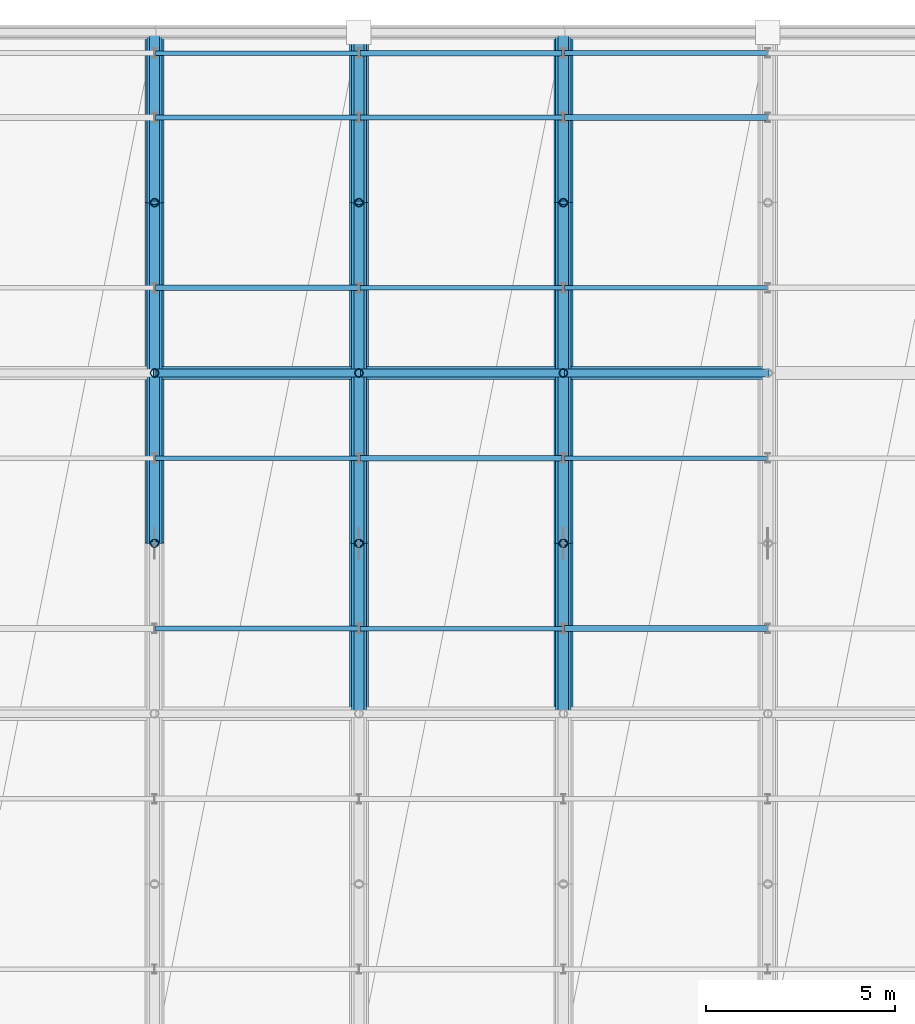
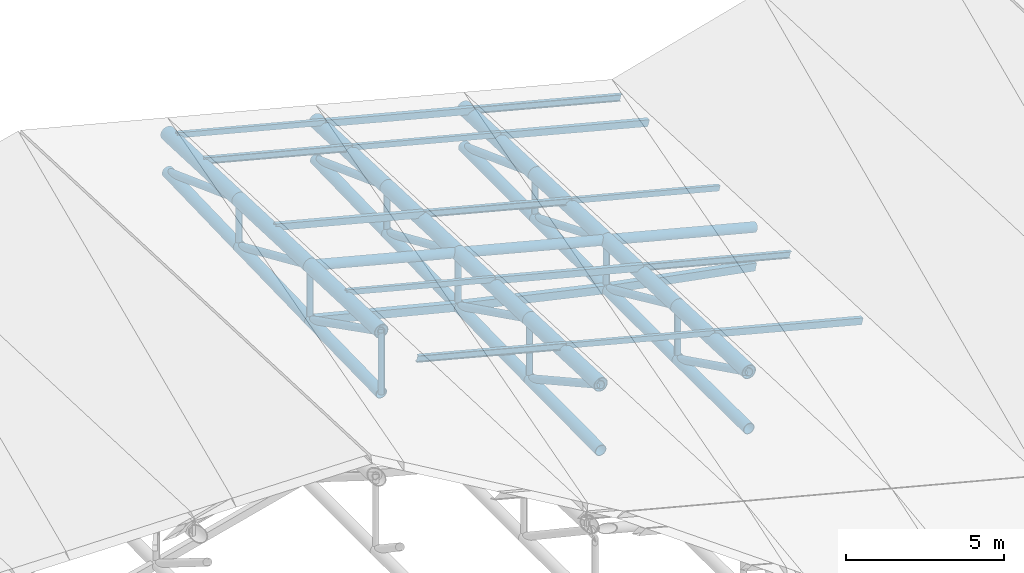
# One storey, part 30 of 109: 41 members, 22 beams.
"""IFC4 building model written with IfcOpenShell, lengths in metres."""

from ifc_helpers import new_model, si_unit, direction, frame, origin, origin_2d, place, context, subcontext, project, spatial, hollow_rectangle, hollow_circle, i_section, extrude, material, material_profile, profile_set, type_object, element, save


model = new_model("IFC4")

# Units and contexts
model_context = context("Model", 3, precision=1e-05, world=origin(), true_north=direction((0.0, 1.0)))
body_context = subcontext(model_context, "Body", "Model", "MODEL_VIEW")
ifc_project = project(units=[si_unit("LENGTHUNIT", "METRE"), si_unit("AREAUNIT", "SQUARE_METRE"), si_unit("VOLUMEUNIT", "CUBIC_METRE"), si_unit("PLANEANGLEUNIT", "RADIAN"), si_unit("MASSUNIT", "GRAM", prefix="KILO")], contexts=[model_context])

# Site, building, storey
site_placement = place(None, origin())
site = spatial("IfcSite", under=ifc_project, at=site_placement, CompositionType="ELEMENT")
building_placement = place(site_placement, origin())
building = spatial("IfcBuilding", under=site, at=building_placement, Name="Suirenkawa Promenade Aquatics Centre", CompositionType="ELEMENT")
storey_placement = place(building_placement, frame((0.0, 0.0, 22.800048828125)))
storey = spatial("IfcBuildingStorey", under=building, at=storey_placement, Name="ROOF", CompositionType="ELEMENT", Elevation=22.800048828125)

# Beams
ifc_material = material(Name="Steel IS 2062 E350 (Grade 350)", Category="steel")
ifc_material_profile_1 = material_profile(ifc_material, hollow_circle(Radius=0.202880859375, WallThickness=0.01806640625, at=origin_2d()), Name="CHS 406x18", Category="steel")
ifc_profile_set_1 = profile_set([ifc_material_profile_1], Name="Steel IS 2062 E350 (Grade 350)")
beam_type_1 = type_object("IfcBeamType", Name="BT-BC-CHS406", PredefinedType="BEAM", material=ifc_profile_set_1)
beam_1_placement = place(storey_placement, frame((117.0, 108.89990234375, -7.929931640625), z_axis=(0.0, 0.999768124416, 0.02153363419), x_axis=(-1.0, 0.0, 0.0)))
element("IfcBeam", 1, at=beam_1_placement, inside=storey, type_object=beam_type_1, Name="ROOF TRUSS V1 bottom chord BC-01 BM-2194", PredefinedType="BEAM", context=body_context, shape_type="SweptSolid", body=[
    extrude(hollow_circle(Radius=0.202880859375, WallThickness=0.01806640625, at=origin_2d()), origin(), (0.0, 0.0, 1.0), 4.5009765625),
])
beam_2_placement = place(storey_placement, frame((117.0, 113.39990234375, -7.8330078125), z_axis=(0.0, 0.999645385078, 0.026629008468), x_axis=(-1.0, 0.0, 0.0)))
element("IfcBeam", 2, at=beam_2_placement, inside=storey, type_object=beam_type_1, Name="ROOF TRUSS V1 bottom chord BC-01 BM-2196", PredefinedType="BEAM", context=body_context, shape_type="SweptSolid", body=[
    extrude(hollow_circle(Radius=0.202880859375, WallThickness=0.01806640625, at=origin_2d()), origin(), (0.0, 0.0, 1.0), 4.501708984375),
])
beam_3_placement = place(storey_placement, frame((117.0, 117.89990234375, -7.713134765625), z_axis=(0.0, 0.999563148904, 0.029555225486), x_axis=(-1.0, 0.0, 0.0)))
element("IfcBeam", 3, at=beam_3_placement, inside=storey, type_object=beam_type_1, Name="ROOF TRUSS V1 bottom chord BC-01 BM-2198", PredefinedType="BEAM", context=body_context, shape_type="SweptSolid", body=[
    extrude(hollow_circle(Radius=0.202880859375, WallThickness=0.01806640625, at=origin_2d()), origin(), (0.0, 0.0, 1.0), 4.501953125),
])
beam_4_placement = place(storey_placement, frame((122.39990234375, 104.39990234375, -9.303955078125), z_axis=(0.0, 0.99995441513, 0.009548175839), x_axis=(-1.0, 0.0, 0.0)))
element("IfcBeam", 4, at=beam_4_placement, inside=storey, type_object=beam_type_1, Name="ROOF TRUSS V1 bottom chord BC-01 BM-2220", PredefinedType="BEAM", context=body_context, shape_type="SweptSolid", body=[
    extrude(hollow_circle(Radius=0.202880859375, WallThickness=0.01806640625, at=origin_2d()), origin(), (0.0, 0.0, 1.0), 4.500244140625),
])
beam_5_placement = place(storey_placement, frame((122.39990234375, 108.89990234375, -9.260986328125), z_axis=(0.0, 0.999857684193, 0.016870428591), x_axis=(-1.0, 0.0, 0.0)))
element("IfcBeam", 5, at=beam_5_placement, inside=storey, type_object=beam_type_1, Name="ROOF TRUSS V1 bottom chord BC-01 BM-2222", PredefinedType="BEAM", context=body_context, shape_type="SweptSolid", body=[
    extrude(hollow_circle(Radius=0.202880859375, WallThickness=0.01806640625, at=origin_2d()), origin(), (0.0, 0.0, 1.0), 4.500732421875),
])
beam_6_placement = place(storey_placement, frame((122.39990234375, 113.39990234375, -9.18505859375), z_axis=(0.0, 0.999772771848, 0.021316769712), x_axis=(-1.0, 0.0, 0.0)))
element("IfcBeam", 6, at=beam_6_placement, inside=storey, type_object=beam_type_1, Name="ROOF TRUSS V1 bottom chord BC-01 BM-2224", PredefinedType="BEAM", context=body_context, shape_type="SweptSolid", body=[
    extrude(hollow_circle(Radius=0.202880859375, WallThickness=0.01806640625, at=origin_2d()), origin(), (0.0, 0.0, 1.0), 4.5009765625),
])
beam_7_placement = place(storey_placement, frame((122.39990234375, 117.89990234375, -9.089111328125), z_axis=(0.0, 0.99970606682, 0.024244173821), x_axis=(-1.0, 0.0, 0.0)))
element("IfcBeam", 7, at=beam_7_placement, inside=storey, type_object=beam_type_1, Name="ROOF TRUSS V1 bottom chord BC-01 BM-2226", PredefinedType="BEAM", context=body_context, shape_type="SweptSolid", body=[
    extrude(hollow_circle(Radius=0.202880859375, WallThickness=0.01806640625, at=origin_2d()), origin(), (0.0, 0.0, 1.0), 4.501220703125),
])
for number, where, z_axis, x_axis, name in (
    (8, (127.800048828125, 104.39990234375, -10.358154296875), (0.0, 0.999978095645, -0.006618778628), (-1.0, 0.0, 0.0), "ROOF TRUSS V1 bottom chord BC-01 BM-2248"),
    (9, (127.800048828125, 108.89990234375, -10.387939453125), (0.0, 0.999997526048, -0.002224386858), (-1.0, 0.0, 0.0), "ROOF TRUSS V1 bottom chord BC-01 BM-2250"),
    (10, (127.800048828125, 113.39990234375, -10.39794921875), (0.0, 0.999999411313, 0.001085068806), (-1.0, 0.0, 0.0), "ROOF TRUSS V1 bottom chord BC-01 BM-2252"),
    (11, (127.800048828125, 117.89990234375, -10.39306640625), (0.0, 0.999995865965, 0.002875422141), (-1.0, 0.0, 0.0), "ROOF TRUSS V1 bottom chord BC-01 BM-2254"),
):
    element("IfcBeam", number, at=place(storey_placement, frame(where, z_axis=z_axis, x_axis=x_axis)), inside=storey, type_object=beam_type_1, Name=name, PredefinedType="BEAM", context=body_context, shape_type="SweptSolid", body=[
        extrude(hollow_circle(Radius=0.202880859375, WallThickness=0.01806640625, at=origin_2d()), origin(), (0.0, 0.0, 1.0), 4.5),
    ])
ifc_material_profile_2 = material_profile(ifc_material, hollow_circle(Radius=0.25390625, WallThickness=0.02392578125, at=origin_2d()), Name="CHS 508x24", Category="steel")
ifc_profile_set_2 = profile_set([ifc_material_profile_2], Name="Steel IS 2062 E350 (Grade 350)")
beam_type_2 = type_object("IfcBeamType", Name="BT-TC-CHS508", PredefinedType="BEAM", material=ifc_profile_set_2)
for number, where, z_axis, x_axis, name in (
    (12, (117.0, 108.89990234375, -5.550048828125), (0.0, 0.999173184279, -0.040656460949), (-1.0, 0.0, 0.0), "ROOF TRUSS V1 top chord TC-02 BM-2193"),
    (13, (117.0, 113.39990234375, -5.733154296875), (0.0, 0.999166564808, -0.040818816368), (-1.0, 0.0, 0.0), "ROOF TRUSS V1 top chord TC-02 BM-2195"),
    (14, (117.0, 117.89990234375, -5.9169921875), (0.0, 0.999173184279, -0.040656460949), (-1.0, 0.0, 0.0), "ROOF TRUSS V1 top chord TC-02 BM-2197"),
    (15, (122.39990234375, 104.39990234375, -6.76708984375), (0.0, 0.999175384927, -0.040602341759), (-1.0, 0.0, 0.0), "ROOF TRUSS V1 top chord TC-02 BM-2219"),
    (16, (122.39990234375, 108.89990234375, -6.949951171875), (0.0, 0.999173184279, -0.040656460949), (-1.0, 0.0, 0.0), "ROOF TRUSS V1 top chord TC-02 BM-2221"),
    (17, (122.39990234375, 113.39990234375, -7.133056640625), (0.0, 0.999164352475, -0.040872934124), (-1.0, 0.0, 0.0), "ROOF TRUSS V1 top chord TC-02 BM-2223"),
    (18, (122.39990234375, 117.89990234375, -7.317138671875), (0.0, 0.999175384927, -0.040602341759), (-1.0, 0.0, 0.0), "ROOF TRUSS V1 top chord TC-02 BM-2225"),
    (19, (127.800048828125, 104.39990234375, -8.1669921875), (0.0, 0.999173184279, -0.040656460949), (-1.0, 0.0, 0.0), "ROOF TRUSS V1 top chord TC-02 BM-2247"),
    (20, (127.800048828125, 108.89990234375, -8.35009765625), (0.0, 0.999175384927, -0.040602341759), (-1.0, 0.0, 0.0), "ROOF TRUSS V1 top chord TC-02 BM-2249"),
    (21, (127.800048828125, 113.39990234375, -8.532958984375), (0.0, 0.999164352475, -0.040872934124), (-1.0, 0.0, 0.0), "ROOF TRUSS V1 top chord TC-02 BM-2251"),
    (22, (127.800048828125, 117.89990234375, -8.717041015625), (0.0, 0.999173184279, -0.040656460949), (-1.0, 0.0, 0.0), "ROOF TRUSS V1 top chord TC-02 BM-2253"),
):
    element("IfcBeam", number, at=place(storey_placement, frame(where, z_axis=z_axis, x_axis=x_axis)), inside=storey, type_object=beam_type_2, Name=name, PredefinedType="BEAM", context=body_context, shape_type="SweptSolid", body=[
        extrude(hollow_circle(Radius=0.25390625, WallThickness=0.02392578125, at=origin_2d()), origin(), (0.0, 0.0, 1.0), 4.503662109375),
    ])

# Members
ifc_material_profile_3 = material_profile(ifc_material, hollow_circle(Radius=0.177978515625, WallThickness=0.01611328125, at=origin_2d()), Name="CHS 356x16", Category="steel")
ifc_profile_set_3 = profile_set([ifc_material_profile_3], Name="Steel IS 2062 E350 (Grade 350)")
member_type_1 = type_object("IfcMemberType", Name="MT-CHORD-CHS356", PredefinedType="CHORD", material=ifc_profile_set_3)
member_1_placement = place(storey_placement, frame((117.0, 113.39990234375, -5.733154296875), z_axis=(0.968000048288, 0.0, -0.250950007997), x_axis=(0.0, 1.0, 0.0)))
element("IfcMember", 23, at=member_1_placement, inside=storey, type_object=member_type_1, Name="ROOF TRUSS V1 tie chord CH-02 MB-0914", PredefinedType="CHORD", context=body_context, shape_type="SweptSolid", body=[
    extrude(hollow_circle(Radius=0.177978515625, WallThickness=0.01611328125, at=origin_2d()), origin(), (0.0, 0.0, 1.0), 5.578369140625),
])
member_2_placement = place(storey_placement, frame((122.39990234375, 113.39990234375, -7.133056640625), z_axis=(0.96800280427, 0.0, -0.250939376992), x_axis=(0.0, 1.0, 0.0)))
element("IfcMember", 24, at=member_2_placement, inside=storey, type_object=member_type_1, Name="ROOF TRUSS V1 tie chord CH-02 MB-0916", PredefinedType="CHORD", context=body_context, shape_type="SweptSolid", body=[
    extrude(hollow_circle(Radius=0.177978515625, WallThickness=0.01611328125, at=origin_2d()), origin(), (0.0, 0.0, 1.0), 5.57861328125),
])
member_3_placement = place(storey_placement, frame((127.800048828125, 113.39990234375, -8.532958984375), z_axis=(0.967989416096, 0.0, -0.250991016426), x_axis=(0.0, 1.0, 0.0)))
element("IfcMember", 25, at=member_3_placement, inside=storey, type_object=member_type_1, Name="ROOF TRUSS V1 tie chord CH-02 MB-0918", PredefinedType="CHORD", context=body_context, shape_type="SweptSolid", body=[
    extrude(hollow_circle(Radius=0.177978515625, WallThickness=0.01611328125, at=origin_2d()), origin(), (0.0, 0.0, 1.0), 5.578369140625),
])
ifc_material_profile_4 = material_profile(ifc_material, hollow_rectangle(XDim=0.199951171875, YDim=0.300048828125, WallThickness=0.011962890625, at=origin_2d()), Name="RHS 300x200x12", Category="steel")
ifc_profile_set_4 = profile_set([ifc_material_profile_4], Name="Steel IS 2062 E350 (Grade 350)")
member_type_2 = type_object("IfcMemberType", Name="MT-CHORD-RHS300", PredefinedType="CHORD", material=ifc_profile_set_4)
member_4_placement = place(storey_placement, frame((117.0, 113.39990234375, -7.8330078125), z_axis=(0.970054720383, 0.0, -0.242886474432), x_axis=(0.0, 1.0, 0.0)))
element("IfcMember", 26, at=member_4_placement, inside=storey, type_object=member_type_2, Name="ROOF TRUSS V1 bottom tie CH-03 MB-0915", PredefinedType="CHORD", context=body_context, shape_type="SweptSolid", body=[
    extrude(hollow_rectangle(XDim=0.199951171875, YDim=0.300048828125, WallThickness=0.011962890625, at=origin_2d()), origin(), (0.0, 0.0, 1.0), 5.566650390625),
])
member_5_placement = place(storey_placement, frame((122.39990234375, 113.39990234375, -9.18505859375), z_axis=(0.975692581741, 0.0, -0.219143756322), x_axis=(0.0, 1.0, 0.0)))
element("IfcMember", 27, at=member_5_placement, inside=storey, type_object=member_type_2, Name="ROOF TRUSS V1 bottom tie CH-03 MB-0917", PredefinedType="CHORD", context=body_context, shape_type="SweptSolid", body=[
    extrude(hollow_rectangle(XDim=0.199951171875, YDim=0.300048828125, WallThickness=0.011962890625, at=origin_2d()), origin(), (0.0, 0.0, 1.0), 5.53466796875),
])
member_6_placement = place(storey_placement, frame((127.800048828125, 113.39990234375, -10.39794921875), z_axis=(0.982784550079, 0.0, -0.184755319614), x_axis=(0.0, 1.0, 0.0)))
element("IfcMember", 28, at=member_6_placement, inside=storey, type_object=member_type_2, Name="ROOF TRUSS V1 bottom tie CH-03 MB-0919", PredefinedType="CHORD", context=body_context, shape_type="SweptSolid", body=[
    extrude(hollow_rectangle(XDim=0.199951171875, YDim=0.300048828125, WallThickness=0.011962890625, at=origin_2d()), origin(), (0.0, 0.0, 1.0), 5.494384765625),
])
ifc_material_profile_5 = material_profile(ifc_material, i_section(OverallWidth=0.125, OverallDepth=0.25, WebThickness=0.007080078125, FlangeThickness=0.012939453125, at=origin_2d()), Name="ISMB 250", Category="steel")
ifc_profile_set_5 = profile_set([ifc_material_profile_5], Name="Steel IS 2062 E350 (Grade 350)")
member_type_3 = type_object("IfcMemberType", Name="MT-PURLIN-ISMB250", PredefinedType="PURLIN", material=ifc_profile_set_5)
for number, where, z_axis, x_axis, name in (
    (29, (117.0, 106.64990234375, -5.22998046875), (0.967989416096, 0.0, -0.250991016426), (0.0, 1.0, 0.0), "ROOF TRUSS Roof purlin PU-04 MB-2181"),
    (30, (117.0, 120.14990234375, -5.780029296875), (0.968000048288, 0.0, -0.250950007997), (0.0, 1.0, 0.0), "ROOF TRUSS Roof purlin PU-04 MB-2187"),
):
    element("IfcMember", number, at=place(storey_placement, frame(where, z_axis=z_axis, x_axis=x_axis)), inside=storey, type_object=member_type_3, Name=name, PredefinedType="PURLIN", context=body_context, shape_type="SweptSolid", body=[
        extrude(i_section(OverallWidth=0.125, OverallDepth=0.25, WebThickness=0.007080078125, FlangeThickness=0.012939453125, at=origin_2d()), origin(), (0.0, 0.0, 1.0), 5.578369140625),
    ])
member_7_placement = place(storey_placement, frame((122.39990234375, 115.64990234375, -6.9970703125), z_axis=(0.96800280427, 0.0, -0.250939376992), x_axis=(0.0, 1.0, 0.0)))
element("IfcMember", 31, at=member_7_placement, inside=storey, type_object=member_type_3, Name="ROOF TRUSS Roof purlin PU-04 MB-2221", PredefinedType="PURLIN", context=body_context, shape_type="SweptSolid", body=[
    extrude(i_section(OverallWidth=0.125, OverallDepth=0.25, WebThickness=0.007080078125, FlangeThickness=0.012939453125, at=origin_2d()), origin(), (0.0, 0.0, 1.0), 5.57861328125),
])
for number, where, z_axis, x_axis, name in (
    (32, (127.800048828125, 111.14990234375, -8.213134765625), (0.968000048288, 0.0, -0.250950007997), (0.0, 1.0, 0.0), "ROOF TRUSS Roof purlin PU-04 MB-2255"),
    (33, (127.800048828125, 121.85009765625, -8.649169921875), (0.968000048288, 0.0, -0.250950007997), (0.0, 1.0, 0.0), "ROOF TRUSS Roof purlin PU-04 MB-2261"),
):
    element("IfcMember", number, at=place(storey_placement, frame(where, z_axis=z_axis, x_axis=x_axis)), inside=storey, type_object=member_type_3, Name=name, PredefinedType="PURLIN", context=body_context, shape_type="SweptSolid", body=[
        extrude(i_section(OverallWidth=0.125, OverallDepth=0.25, WebThickness=0.007080078125, FlangeThickness=0.012939453125, at=origin_2d()), origin(), (0.0, 0.0, 1.0), 5.578369140625),
    ])
ifc_material_profile_6 = material_profile(ifc_material, hollow_rectangle(XDim=0.1201171875, YDim=0.199951171875, WallThickness=0.008056640625, at=origin_2d()), Name="RHS 200x120x8", Category="steel")
ifc_profile_set_6 = profile_set([ifc_material_profile_6], Name="Steel IS 2062 E350 (Grade 350)")
member_type_4 = type_object("IfcMemberType", Name="MT-PURLIN-RHS200", PredefinedType="PURLIN", material=ifc_profile_set_6)
for number, where, z_axis, x_axis, name in (
    (34, (117.0, 111.14990234375, -5.387939453125), (0.967989416096, 0.0, -0.250991016426), (0.0, 1.0, 0.0), "ROOF TRUSS Roof purlin PU-02 MB-2183"),
    (35, (117.0, 121.85009765625, -5.823974609375), (0.967989416096, 0.0, -0.250991016426), (0.0, 1.0, 0.0), "ROOF TRUSS Roof purlin PU-02 MB-2189"),
):
    element("IfcMember", number, at=place(storey_placement, frame(where, z_axis=z_axis, x_axis=x_axis)), inside=storey, type_object=member_type_4, Name=name, PredefinedType="PURLIN", context=body_context, shape_type="SweptSolid", body=[
        extrude(hollow_rectangle(XDim=0.1201171875, YDim=0.199951171875, WallThickness=0.008056640625, at=origin_2d()), origin(), (0.0, 0.0, 1.0), 5.578369140625),
    ])
for number, where, z_axis, x_axis, name in (
    (36, (122.39990234375, 106.64990234375, -6.60498046875), (0.967992172948, 0.0, -0.250980383917), (0.0, 1.0, 0.0), "ROOF TRUSS Roof purlin PU-02 MB-2217"),
    (37, (122.39990234375, 120.14990234375, -7.155029296875), (0.96800280427, 0.0, -0.250939376992), (0.0, 1.0, 0.0), "ROOF TRUSS Roof purlin PU-02 MB-2223"),
):
    element("IfcMember", number, at=place(storey_placement, frame(where, z_axis=z_axis, x_axis=x_axis)), inside=storey, type_object=member_type_4, Name=name, PredefinedType="PURLIN", context=body_context, shape_type="SweptSolid", body=[
        extrude(hollow_rectangle(XDim=0.1201171875, YDim=0.199951171875, WallThickness=0.008056640625, at=origin_2d()), origin(), (0.0, 0.0, 1.0), 5.57861328125),
    ])
member_8_placement = place(storey_placement, frame((127.800048828125, 115.64990234375, -8.3720703125), z_axis=(0.968000048288, 0.0, -0.250950007997), x_axis=(0.0, 1.0, 0.0)))
element("IfcMember", 38, at=member_8_placement, inside=storey, type_object=member_type_4, Name="ROOF TRUSS Roof purlin PU-02 MB-2257", PredefinedType="PURLIN", context=body_context, shape_type="SweptSolid", body=[
    extrude(hollow_rectangle(XDim=0.1201171875, YDim=0.199951171875, WallThickness=0.008056640625, at=origin_2d()), origin(), (0.0, 0.0, 1.0), 5.578369140625),
])
ifc_material_profile_7 = material_profile(ifc_material, hollow_rectangle(XDim=0.14990234375, YDim=0.25, WallThickness=0.010009765625, at=origin_2d()), Name="RHS 250x150x10", Category="steel")
ifc_profile_set_7 = profile_set([ifc_material_profile_7], Name="Steel IS 2062 E350 (Grade 350)")
member_type_5 = type_object("IfcMemberType", Name="MT-PURLIN-RHS250", PredefinedType="PURLIN", material=ifc_profile_set_7)
member_9_placement = place(storey_placement, frame((117.0, 115.64990234375, -5.59716796875), z_axis=(0.968000048288, 0.0, -0.250950007997), x_axis=(0.0, 1.0, 0.0)))
element("IfcMember", 39, at=member_9_placement, inside=storey, type_object=member_type_5, Name="ROOF TRUSS Roof purlin PU-03 MB-2185", PredefinedType="PURLIN", context=body_context, shape_type="SweptSolid", body=[
    extrude(hollow_rectangle(XDim=0.14990234375, YDim=0.25, WallThickness=0.010009765625, at=origin_2d()), origin(), (0.0, 0.0, 1.0), 5.578369140625),
])
for number, where, z_axis, x_axis, name in (
    (40, (122.39990234375, 111.14990234375, -6.81396484375), (0.967992172948, 0.0, -0.250980383917), (0.0, 1.0, 0.0), "ROOF TRUSS Roof purlin PU-03 MB-2219"),
    (41, (122.39990234375, 121.85009765625, -7.25), (0.967992172948, 0.0, -0.250980383917), (0.0, 1.0, 0.0), "ROOF TRUSS Roof purlin PU-03 MB-2225"),
):
    element("IfcMember", number, at=place(storey_placement, frame(where, z_axis=z_axis, x_axis=x_axis)), inside=storey, type_object=member_type_5, Name=name, PredefinedType="PURLIN", context=body_context, shape_type="SweptSolid", body=[
        extrude(hollow_rectangle(XDim=0.14990234375, YDim=0.25, WallThickness=0.010009765625, at=origin_2d()), origin(), (0.0, 0.0, 1.0), 5.57861328125),
    ])
for number, where, z_axis, x_axis, name in (
    (42, (127.800048828125, 106.64990234375, -8.031005859375), (0.967989416096, 0.0, -0.250991016426), (0.0, 1.0, 0.0), "ROOF TRUSS Roof purlin PU-03 MB-2253"),
    (43, (127.800048828125, 120.14990234375, -8.5810546875), (0.968000048288, 0.0, -0.250950007997), (0.0, 1.0, 0.0), "ROOF TRUSS Roof purlin PU-03 MB-2259"),
):
    element("IfcMember", number, at=place(storey_placement, frame(where, z_axis=z_axis, x_axis=x_axis)), inside=storey, type_object=member_type_5, Name=name, PredefinedType="PURLIN", context=body_context, shape_type="SweptSolid", body=[
        extrude(hollow_rectangle(XDim=0.14990234375, YDim=0.25, WallThickness=0.010009765625, at=origin_2d()), origin(), (0.0, 0.0, 1.0), 5.578369140625),
    ])
ifc_material_profile_8 = material_profile(ifc_material, hollow_circle(Radius=0.110107421875, WallThickness=0.010009765625, at=origin_2d()), Name="CHS 220x10", Category="steel")
ifc_profile_set_8 = profile_set([ifc_material_profile_8], Name="Steel IS 2062 E350 (Grade 350)")
member_type_6 = type_object("IfcMemberType", Name="MT-WEB-CHS220", PredefinedType="BRACE", material=ifc_profile_set_8)
member_10_placement = place(storey_placement, frame((117.0, 108.89990234375, -7.929931640625), z_axis=(0.0, 0.0, 1.0), x_axis=(1.0, 0.0, 0.0)))
element("IfcMember", 44, at=member_10_placement, inside=storey, type_object=member_type_6, Name="ROOF TRUSS V1 web post TD-01 MB-0376", PredefinedType="BRACE", context=body_context, shape_type="SweptSolid", body=[
    extrude(hollow_circle(Radius=0.110107421875, WallThickness=0.010009765625, at=origin_2d()), origin(), (0.0, 0.0, 1.0), 2.3798828125),
])
member_11_placement = place(storey_placement, frame((117.0, 113.39990234375, -7.8330078125), z_axis=(0.0, 0.0, 1.0), x_axis=(1.0, 0.0, 0.0)))
element("IfcMember", 45, at=member_11_placement, inside=storey, type_object=member_type_6, Name="ROOF TRUSS V1 web post TD-01 MB-0377", PredefinedType="BRACE", context=body_context, shape_type="SweptSolid", body=[
    extrude(hollow_circle(Radius=0.110107421875, WallThickness=0.010009765625, at=origin_2d()), origin(), (0.0, 0.0, 1.0), 2.099853515625),
])
member_12_placement = place(storey_placement, frame((117.0, 117.89990234375, -7.713134765625), z_axis=(0.0, 0.0, 1.0), x_axis=(1.0, 0.0, 0.0)))
element("IfcMember", 46, at=member_12_placement, inside=storey, type_object=member_type_6, Name="ROOF TRUSS V1 web post TD-01 MB-0378", PredefinedType="BRACE", context=body_context, shape_type="SweptSolid", body=[
    extrude(hollow_circle(Radius=0.110107421875, WallThickness=0.010009765625, at=origin_2d()), origin(), (0.0, 0.0, 1.0), 1.796142578125),
])
member_13_placement = place(storey_placement, frame((122.39990234375, 108.89990234375, -9.260986328125), z_axis=(0.0, 0.0, 1.0), x_axis=(1.0, 0.0, 0.0)))
element("IfcMember", 47, at=member_13_placement, inside=storey, type_object=member_type_6, Name="ROOF TRUSS V1 web post TD-01 MB-0403", PredefinedType="BRACE", context=body_context, shape_type="SweptSolid", body=[
    extrude(hollow_circle(Radius=0.110107421875, WallThickness=0.010009765625, at=origin_2d()), origin(), (0.0, 0.0, 1.0), 2.31103515625),
])
member_14_placement = place(storey_placement, frame((122.39990234375, 113.39990234375, -9.18505859375), z_axis=(0.0, 0.0, 1.0), x_axis=(1.0, 0.0, 0.0)))
element("IfcMember", 48, at=member_14_placement, inside=storey, type_object=member_type_6, Name="ROOF TRUSS V1 web post TD-01 MB-0404", PredefinedType="BRACE", context=body_context, shape_type="SweptSolid", body=[
    extrude(hollow_circle(Radius=0.110107421875, WallThickness=0.010009765625, at=origin_2d()), origin(), (0.0, 0.0, 1.0), 2.052001953125),
])
member_15_placement = place(storey_placement, frame((122.39990234375, 117.89990234375, -9.089111328125), z_axis=(0.0, 0.0, 1.0), x_axis=(1.0, 0.0, 0.0)))
element("IfcMember", 49, at=member_15_placement, inside=storey, type_object=member_type_6, Name="ROOF TRUSS V1 web post TD-01 MB-0405", PredefinedType="BRACE", context=body_context, shape_type="SweptSolid", body=[
    extrude(hollow_circle(Radius=0.110107421875, WallThickness=0.010009765625, at=origin_2d()), origin(), (0.0, 0.0, 1.0), 1.77197265625),
])
member_16_placement = place(storey_placement, frame((127.800048828125, 108.89990234375, -10.387939453125), z_axis=(0.0, 0.0, 1.0), x_axis=(1.0, 0.0, 0.0)))
element("IfcMember", 50, at=member_16_placement, inside=storey, type_object=member_type_6, Name="ROOF TRUSS V1 web post TD-01 MB-0430", PredefinedType="BRACE", context=body_context, shape_type="SweptSolid", body=[
    extrude(hollow_circle(Radius=0.110107421875, WallThickness=0.010009765625, at=origin_2d()), origin(), (0.0, 0.0, 1.0), 2.037841796875),
])
member_17_placement = place(storey_placement, frame((127.800048828125, 113.39990234375, -10.39794921875), z_axis=(0.0, 0.0, 1.0), x_axis=(1.0, 0.0, 0.0)))
element("IfcMember", 51, at=member_17_placement, inside=storey, type_object=member_type_6, Name="ROOF TRUSS V1 web post TD-01 MB-0431", PredefinedType="BRACE", context=body_context, shape_type="SweptSolid", body=[
    extrude(hollow_circle(Radius=0.110107421875, WallThickness=0.010009765625, at=origin_2d()), origin(), (0.0, 0.0, 1.0), 1.864990234375),
])
member_18_placement = place(storey_placement, frame((127.800048828125, 117.89990234375, -10.39306640625), z_axis=(0.0, 0.0, 1.0), x_axis=(1.0, 0.0, 0.0)))
element("IfcMember", 52, at=member_18_placement, inside=storey, type_object=member_type_6, Name="ROOF TRUSS V1 web post TD-01 MB-0432", PredefinedType="BRACE", context=body_context, shape_type="SweptSolid", body=[
    extrude(hollow_circle(Radius=0.110107421875, WallThickness=0.010009765625, at=origin_2d()), origin(), (0.0, 0.0, 1.0), 1.676025390625),
])
ifc_material_profile_9 = material_profile(ifc_material, hollow_circle(Radius=0.136962890625, WallThickness=0.011962890625, at=origin_2d()), Name="CHS 274x12", Category="steel")
ifc_profile_set_9 = profile_set([ifc_material_profile_9], Name="Steel IS 2062 E350 (Grade 350)")
member_type_7 = type_object("IfcMemberType", Name="MT-WEB-CHS274", PredefinedType="BRACE", material=ifc_profile_set_9)
member_19_placement = place(storey_placement, frame((117.0, 108.89990234375, -5.550048828125), z_axis=(0.0, 0.891799234032, -0.452431349687), x_axis=(-1.0, 0.0, 0.0)))
element("IfcMember", 53, at=member_19_placement, inside=storey, type_object=member_type_7, Name="ROOF TRUSS V1 web diagonal TD-02 MB-0363", PredefinedType="BRACE", context=body_context, shape_type="SweptSolid", body=[
    extrude(hollow_circle(Radius=0.136962890625, WallThickness=0.011962890625, at=origin_2d()), origin(), (0.0, 0.0, 1.0), 5.0458984375),
])
member_20_placement = place(storey_placement, frame((117.0, 113.39990234375, -5.733154296875), z_axis=(0.0, 0.915316496894, -0.402735285906), x_axis=(-1.0, 0.0, 0.0)))
element("IfcMember", 54, at=member_20_placement, inside=storey, type_object=member_type_7, Name="ROOF TRUSS V1 web diagonal TD-02 MB-0364", PredefinedType="BRACE", context=body_context, shape_type="SweptSolid", body=[
    extrude(hollow_circle(Radius=0.136962890625, WallThickness=0.011962890625, at=origin_2d()), origin(), (0.0, 0.0, 1.0), 4.916259765625),
])
member_21_placement = place(storey_placement, frame((117.0, 117.89990234375, -5.9169921875), z_axis=(0.0, 0.937991621065, -0.346657927664), x_axis=(-1.0, 0.0, 0.0)))
element("IfcMember", 55, at=member_21_placement, inside=storey, type_object=member_type_7, Name="ROOF TRUSS V1 web diagonal TD-02 MB-0365", PredefinedType="BRACE", context=body_context, shape_type="SweptSolid", body=[
    extrude(hollow_circle(Radius=0.136962890625, WallThickness=0.011962890625, at=origin_2d()), origin(), (0.0, 0.0, 1.0), 4.79736328125),
])
member_22_placement = place(storey_placement, frame((122.39990234375, 104.39990234375, -6.76708984375), z_axis=(0.0, 0.874660438482, -0.484736131678), x_axis=(-1.0, 0.0, 0.0)))
element("IfcMember", 56, at=member_22_placement, inside=storey, type_object=member_type_7, Name="ROOF TRUSS V1 web diagonal TD-02 MB-0389", PredefinedType="BRACE", context=body_context, shape_type="SweptSolid", body=[
    extrude(hollow_circle(Radius=0.136962890625, WallThickness=0.011962890625, at=origin_2d()), origin(), (0.0, 0.0, 1.0), 5.144775390625),
])
member_23_placement = place(storey_placement, frame((122.39990234375, 108.89990234375, -6.949951171875), z_axis=(0.0, 0.895609642263, -0.444840835228), x_axis=(-1.0, 0.0, 0.0)))
element("IfcMember", 57, at=member_23_placement, inside=storey, type_object=member_type_7, Name="ROOF TRUSS V1 web diagonal TD-02 MB-0390", PredefinedType="BRACE", context=body_context, shape_type="SweptSolid", body=[
    extrude(hollow_circle(Radius=0.136962890625, WallThickness=0.011962890625, at=origin_2d()), origin(), (0.0, 0.0, 1.0), 5.0244140625),
])
member_24_placement = place(storey_placement, frame((122.39990234375, 113.39990234375, -7.133056640625), z_axis=(0.0, 0.917104858314, -0.398646057119), x_axis=(-1.0, 0.0, 0.0)))
element("IfcMember", 58, at=member_24_placement, inside=storey, type_object=member_type_7, Name="ROOF TRUSS V1 web diagonal TD-02 MB-0391", PredefinedType="BRACE", context=body_context, shape_type="SweptSolid", body=[
    extrude(hollow_circle(Radius=0.136962890625, WallThickness=0.011962890625, at=origin_2d()), origin(), (0.0, 0.0, 1.0), 4.90673828125),
])
member_25_placement = place(storey_placement, frame((122.39990234375, 117.89990234375, -7.317138671875), z_axis=(0.0, 0.938008167567, -0.346613152631), x_axis=(-1.0, 0.0, 0.0)))
element("IfcMember", 59, at=member_25_placement, inside=storey, type_object=member_type_7, Name="ROOF TRUSS V1 web diagonal TD-02 MB-0392", PredefinedType="BRACE", context=body_context, shape_type="SweptSolid", body=[
    extrude(hollow_circle(Radius=0.136962890625, WallThickness=0.011962890625, at=origin_2d()), origin(), (0.0, 0.0, 1.0), 4.79736328125),
])
member_26_placement = place(storey_placement, frame((127.800048828125, 104.39990234375, -8.1669921875), z_axis=(0.0, 0.896730975895, -0.442576046426), x_axis=(-1.0, 0.0, 0.0)))
element("IfcMember", 60, at=member_26_placement, inside=storey, type_object=member_type_7, Name="ROOF TRUSS V1 web diagonal TD-02 MB-0416", PredefinedType="BRACE", context=body_context, shape_type="SweptSolid", body=[
    extrude(hollow_circle(Radius=0.136962890625, WallThickness=0.011962890625, at=origin_2d()), origin(), (0.0, 0.0, 1.0), 5.018310546875),
])
member_27_placement = place(storey_placement, frame((127.800048828125, 108.89990234375, -8.35009765625), z_axis=(0.0, 0.910183748108, -0.414204713494), x_axis=(-1.0, 0.0, 0.0)))
element("IfcMember", 61, at=member_27_placement, inside=storey, type_object=member_type_7, Name="ROOF TRUSS V1 web diagonal TD-02 MB-0417", PredefinedType="BRACE", context=body_context, shape_type="SweptSolid", body=[
    extrude(hollow_circle(Radius=0.136962890625, WallThickness=0.011962890625, at=origin_2d()), origin(), (0.0, 0.0, 1.0), 4.944091796875),
])
member_28_placement = place(storey_placement, frame((127.800048828125, 113.39990234375, -8.532958984375), z_axis=(0.0, 0.924159091449, -0.382007818888), x_axis=(-1.0, 0.0, 0.0)))
element("IfcMember", 62, at=member_28_placement, inside=storey, type_object=member_type_7, Name="ROOF TRUSS V1 web diagonal TD-02 MB-0418", PredefinedType="BRACE", context=body_context, shape_type="SweptSolid", body=[
    extrude(hollow_circle(Radius=0.136962890625, WallThickness=0.011962890625, at=origin_2d()), origin(), (0.0, 0.0, 1.0), 4.869384765625),
])
member_29_placement = place(storey_placement, frame((127.800048828125, 117.89990234375, -8.717041015625), z_axis=(0.0, 0.937991621065, -0.346657927664), x_axis=(-1.0, 0.0, 0.0)))
element("IfcMember", 63, at=member_29_placement, inside=storey, type_object=member_type_7, Name="ROOF TRUSS V1 web diagonal TD-02 MB-0419", PredefinedType="BRACE", context=body_context, shape_type="SweptSolid", body=[
    extrude(hollow_circle(Radius=0.136962890625, WallThickness=0.011962890625, at=origin_2d()), origin(), (0.0, 0.0, 1.0), 4.79736328125),
])

save(model, "model.ifc")
